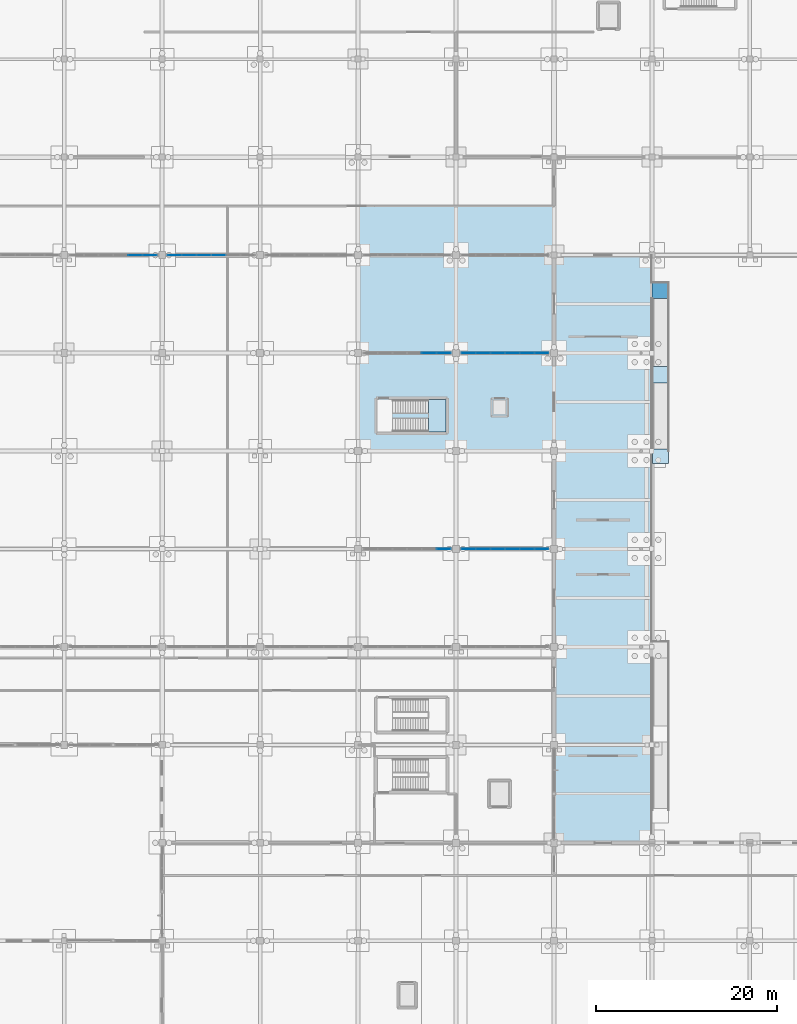
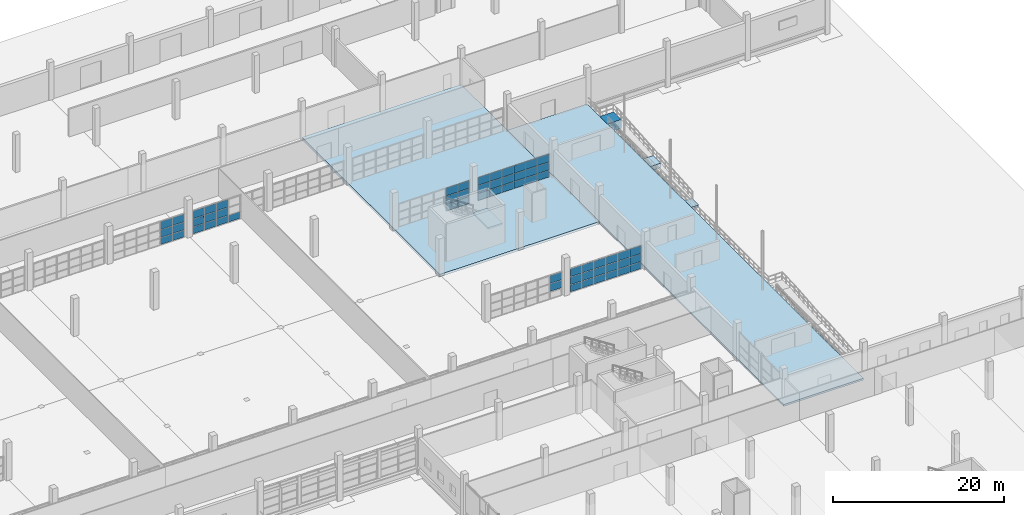
# One storey, part 95 of 138: 60 plates, 6 slabs, 8 elements without a shape of their own.
"""IFC4 building model written with IfcOpenShell, lengths in metres."""

from ifc_helpers import new_model, si_unit, direction, frame, origin, origin_2d, place, context, subcontext, project, spatial, polyline, rectangle, outline, extrude, material, layer, layer_set, type_object, element, aggregate, save


model = new_model("IFC4")

# Units and contexts
model_context = context("Model", 3, precision=1e-05, world=origin(), true_north=direction((0.0, 1.0)))
body_context = subcontext(model_context, "Body", "Model", "MODEL_VIEW")
ifc_project = project(units=[si_unit("LENGTHUNIT", "METRE"), si_unit("AREAUNIT", "SQUARE_METRE"), si_unit("VOLUMEUNIT", "CUBIC_METRE"), si_unit("PLANEANGLEUNIT", "RADIAN"), si_unit("MASSUNIT", "GRAM", prefix="KILO")], contexts=[model_context])

# Site, building, storey
site_placement = place(None, origin())
site = spatial("IfcSite", under=ifc_project, at=site_placement, CompositionType="ELEMENT")
building_placement = place(site_placement, origin())
building = spatial("IfcBuilding", under=site, at=building_placement, Name="Zwinboog Wholesale Market", CompositionType="ELEMENT")
storey_placement = place(building_placement, origin())
storey = spatial("IfcBuildingStorey", under=building, at=storey_placement, Name="L00", CompositionType="ELEMENT", Elevation=0.0)

# Slabs
ifc_material_1 = material(Name="Precast concrete C45/55", Category="concrete")
ifc_layer_1 = layer(ifc_material_1, 0.35595703125)
ifc_layer_set_1 = layer_set([ifc_layer_1], Name="Precast concrete C45/55")
slab_type_1 = type_object("IfcSlabType", Name="SLT-BS-320", PredefinedType="BASESLAB", material=ifc_layer_set_1)
slab_1_placement = place(storey_placement, frame((0.0, 0.0, -0.35595703125)))
element("IfcSlab", 1, at=slab_1_placement, inside=storey, type_object=slab_type_1, Name="SB-356 (SLB-L00-015)", PredefinedType="BASESLAB", context=body_context, shape_type="SweptSolid", body=[
    extrude(outline(polyline([(151.199951171875, 75.60009765625), (172.800048828125, 75.60009765625), (172.800048828125, 108.0), (151.199951171875, 108.0), (151.199951171875, 75.60009765625)])), origin(), (0.0, 0.0, 1.0), 0.35595703125),
])
ifc_material_2 = material(Name="Concrete C40/50", Category="concrete")
ifc_layer_2 = layer(ifc_material_2, 0.261962890625)
ifc_layer_set_2 = layer_set([ifc_layer_2], Name="Concrete C40/50")
slab_type_2 = type_object("IfcSlabType", Name="SLT-EX-262", PredefinedType="FLOOR", material=ifc_layer_set_2)
slab_2_placement = place(storey_placement, frame((0.0, 0.0, -0.261962890625)))
element("IfcSlab", 2, at=slab_2_placement, inside=storey, type_object=slab_type_2, Name="East Arrival Forecourt Canopy Deck", PredefinedType="FLOOR", context=body_context, shape_type="SweptSolid", body=[
    extrude(outline(polyline([(172.800048828125, 32.39990234375), (183.60009765625, 32.39990234375), (183.60009765625, 97.199951171875), (172.800048828125, 97.199951171875), (172.800048828125, 32.39990234375)])), origin(), (0.0, 0.0, 1.0), 0.261962890625),
])

# Curtain wall, plates
ifc_material_3 = material(Name="Aluminium thermally broken curtain wall", Category="aluminium")
curtain_wall_type = type_object("IfcCurtainWallType", Name="CWT-INT-STALL", PredefinedType="USERDEFINED", material=ifc_material_3)
curtain_wall_1_placement = place(storey_placement, origin())
curtain_wall_1 = element("IfcCurtainWall", 3, at=curtain_wall_1_placement, inside=storey, type_object=curtain_wall_type, Name="CW-07 (CW-STL-193)", ObjectType="STOREFRONT_GLAZING", PredefinedType="USERDEFINED")
ifc_material_4 = material(Name="Tempered laminated market stall glazing", Category="glass")
ifc_layer_3 = layer(ifc_material_4, 0.01611328125)
ifc_layer_set_3 = layer_set([ifc_layer_3], Name="Tempered laminated market stall glazing")
plate_type = type_object("IfcPlateType", Name="CWP-INT-16", PredefinedType="CURTAIN_PANEL", material=ifc_layer_set_3)
plate_1_placement = place(storey_placement, frame((160.626708984375, 64.800048828125, 1.080078125), z_axis=(0.0, 0.0, 1.0), x_axis=(1.0, 0.0, 0.0)))
plate_1 = element("IfcPlate", 4, at=plate_1_placement, type_object=plate_type, Name="CW-07 panel 6.2", PredefinedType="CURTAIN_PANEL", context=body_context, shape_type="SweptSolid", body=[
    extrude(rectangle(XDim=1.526611328125, YDim=0.01611328125, at=origin_2d()), origin(), (0.0, 0.0, 1.0), 1.090087890625),
])
plate_2_placement = place(storey_placement, frame((160.626708984375, 64.800048828125, 2.22998046875), z_axis=(0.0, 0.0, 1.0), x_axis=(1.0, 0.0, 0.0)))
plate_2 = element("IfcPlate", 5, at=plate_2_placement, type_object=plate_type, Name="CW-07 panel 6.3", PredefinedType="CURTAIN_PANEL", context=body_context, shape_type="SweptSolid", body=[
    extrude(rectangle(XDim=1.526611328125, YDim=0.01611328125, at=origin_2d()), origin(), (0.0, 0.0, 1.0), 1.110107421875),
])
aggregate(curtain_wall_1, [plate_1, plate_2])

curtain_wall_2_placement = place(storey_placement, origin())
curtain_wall_2 = element("IfcCurtainWall", 6, at=curtain_wall_2_placement, inside=storey, type_object=curtain_wall_type, Name="CW-07 (CW-STL-194)", ObjectType="STOREFRONT_GLAZING", PredefinedType="USERDEFINED")
plate_3_placement = place(storey_placement, frame((163.373291015625, 64.800048828125, 0.06005859375), z_axis=(0.0, 0.0, 1.0), x_axis=(1.0, 0.0, 0.0)))
plate_3 = element("IfcPlate", 7, at=plate_3_placement, type_object=plate_type, Name="CW-07 panel 1.1", PredefinedType="CURTAIN_PANEL", context=body_context, shape_type="SweptSolid", body=[
    extrude(rectangle(XDim=1.526611328125, YDim=0.01611328125, at=origin_2d()), origin(), (0.0, 0.0, 1.0), 0.9599609375),
])
plate_4_placement = place(storey_placement, frame((163.373291015625, 64.800048828125, 1.080078125), z_axis=(0.0, 0.0, 1.0), x_axis=(1.0, 0.0, 0.0)))
plate_4 = element("IfcPlate", 8, at=plate_4_placement, type_object=plate_type, Name="CW-07 panel 1.2", PredefinedType="CURTAIN_PANEL", context=body_context, shape_type="SweptSolid", body=[
    extrude(rectangle(XDim=1.526611328125, YDim=0.01611328125, at=origin_2d()), origin(), (0.0, 0.0, 1.0), 1.090087890625),
])
plate_5_placement = place(storey_placement, frame((163.373291015625, 64.800048828125, 2.22998046875), z_axis=(0.0, 0.0, 1.0), x_axis=(1.0, 0.0, 0.0)))
plate_5 = element("IfcPlate", 9, at=plate_5_placement, type_object=plate_type, Name="CW-07 panel 1.3", PredefinedType="CURTAIN_PANEL", context=body_context, shape_type="SweptSolid", body=[
    extrude(rectangle(XDim=1.526611328125, YDim=0.01611328125, at=origin_2d()), origin(), (0.0, 0.0, 1.0), 1.110107421875),
])
plate_6_placement = place(storey_placement, frame((164.97509765625, 64.800048828125, 0.06005859375), z_axis=(0.0, 0.0, 1.0), x_axis=(1.0, 0.0, 0.0)))
plate_6 = element("IfcPlate", 10, at=plate_6_placement, type_object=plate_type, Name="CW-07 panel 2.1", PredefinedType="CURTAIN_PANEL", context=body_context, shape_type="SweptSolid", body=[
    extrude(rectangle(XDim=1.556640625, YDim=0.01611328125, at=origin_2d()), origin(), (0.0, 0.0, 1.0), 0.9599609375),
])
plate_7_placement = place(storey_placement, frame((164.97509765625, 64.800048828125, 1.080078125), z_axis=(0.0, 0.0, 1.0), x_axis=(1.0, 0.0, 0.0)))
plate_7 = element("IfcPlate", 11, at=plate_7_placement, type_object=plate_type, Name="CW-07 panel 2.2", PredefinedType="CURTAIN_PANEL", context=body_context, shape_type="SweptSolid", body=[
    extrude(rectangle(XDim=1.556640625, YDim=0.01611328125, at=origin_2d()), origin(), (0.0, 0.0, 1.0), 1.090087890625),
])
plate_8_placement = place(storey_placement, frame((164.97509765625, 64.800048828125, 2.22998046875), z_axis=(0.0, 0.0, 1.0), x_axis=(1.0, 0.0, 0.0)))
plate_8 = element("IfcPlate", 12, at=plate_8_placement, type_object=plate_type, Name="CW-07 panel 2.3", PredefinedType="CURTAIN_PANEL", context=body_context, shape_type="SweptSolid", body=[
    extrude(rectangle(XDim=1.556640625, YDim=0.01611328125, at=origin_2d()), origin(), (0.0, 0.0, 1.0), 1.110107421875),
])
plate_9_placement = place(storey_placement, frame((166.591552734375, 64.800048828125, 0.06005859375), z_axis=(0.0, 0.0, 1.0), x_axis=(1.0, 0.0, 0.0)))
plate_9 = element("IfcPlate", 13, at=plate_9_placement, type_object=plate_type, Name="CW-07 panel 3.1", PredefinedType="CURTAIN_PANEL", context=body_context, shape_type="SweptSolid", body=[
    extrude(rectangle(XDim=1.556640625, YDim=0.01611328125, at=origin_2d()), origin(), (0.0, 0.0, 1.0), 0.9599609375),
])
plate_10_placement = place(storey_placement, frame((166.591552734375, 64.800048828125, 1.080078125), z_axis=(0.0, 0.0, 1.0), x_axis=(1.0, 0.0, 0.0)))
plate_10 = element("IfcPlate", 14, at=plate_10_placement, type_object=plate_type, Name="CW-07 panel 3.2", PredefinedType="CURTAIN_PANEL", context=body_context, shape_type="SweptSolid", body=[
    extrude(rectangle(XDim=1.556640625, YDim=0.01611328125, at=origin_2d()), origin(), (0.0, 0.0, 1.0), 1.090087890625),
])
plate_11_placement = place(storey_placement, frame((166.591552734375, 64.800048828125, 2.22998046875), z_axis=(0.0, 0.0, 1.0), x_axis=(1.0, 0.0, 0.0)))
plate_11 = element("IfcPlate", 15, at=plate_11_placement, type_object=plate_type, Name="CW-07 panel 3.3", PredefinedType="CURTAIN_PANEL", context=body_context, shape_type="SweptSolid", body=[
    extrude(rectangle(XDim=1.556640625, YDim=0.01611328125, at=origin_2d()), origin(), (0.0, 0.0, 1.0), 1.110107421875),
])
plate_12_placement = place(storey_placement, frame((168.208251953125, 64.800048828125, 0.06005859375), z_axis=(0.0, 0.0, 1.0), x_axis=(1.0, 0.0, 0.0)))
plate_12 = element("IfcPlate", 16, at=plate_12_placement, type_object=plate_type, Name="CW-07 panel 4.1", PredefinedType="CURTAIN_PANEL", context=body_context, shape_type="SweptSolid", body=[
    extrude(rectangle(XDim=1.556640625, YDim=0.01611328125, at=origin_2d()), origin(), (0.0, 0.0, 1.0), 0.9599609375),
])
plate_13_placement = place(storey_placement, frame((168.208251953125, 64.800048828125, 1.080078125), z_axis=(0.0, 0.0, 1.0), x_axis=(1.0, 0.0, 0.0)))
plate_13 = element("IfcPlate", 17, at=plate_13_placement, type_object=plate_type, Name="CW-07 panel 4.2", PredefinedType="CURTAIN_PANEL", context=body_context, shape_type="SweptSolid", body=[
    extrude(rectangle(XDim=1.556640625, YDim=0.01611328125, at=origin_2d()), origin(), (0.0, 0.0, 1.0), 1.090087890625),
])
plate_14_placement = place(storey_placement, frame((168.208251953125, 64.800048828125, 2.22998046875), z_axis=(0.0, 0.0, 1.0), x_axis=(1.0, 0.0, 0.0)))
plate_14 = element("IfcPlate", 18, at=plate_14_placement, type_object=plate_type, Name="CW-07 panel 4.3", PredefinedType="CURTAIN_PANEL", context=body_context, shape_type="SweptSolid", body=[
    extrude(rectangle(XDim=1.556640625, YDim=0.01611328125, at=origin_2d()), origin(), (0.0, 0.0, 1.0), 1.110107421875),
])
plate_15_placement = place(storey_placement, frame((169.824951171875, 64.800048828125, 0.06005859375), z_axis=(0.0, 0.0, 1.0), x_axis=(1.0, 0.0, 0.0)))
plate_15 = element("IfcPlate", 19, at=plate_15_placement, type_object=plate_type, Name="CW-07 panel 5.1", PredefinedType="CURTAIN_PANEL", context=body_context, shape_type="SweptSolid", body=[
    extrude(rectangle(XDim=1.556640625, YDim=0.01611328125, at=origin_2d()), origin(), (0.0, 0.0, 1.0), 0.9599609375),
])
plate_16_placement = place(storey_placement, frame((169.824951171875, 64.800048828125, 1.080078125), z_axis=(0.0, 0.0, 1.0), x_axis=(1.0, 0.0, 0.0)))
plate_16 = element("IfcPlate", 20, at=plate_16_placement, type_object=plate_type, Name="CW-07 panel 5.2", PredefinedType="CURTAIN_PANEL", context=body_context, shape_type="SweptSolid", body=[
    extrude(rectangle(XDim=1.556640625, YDim=0.01611328125, at=origin_2d()), origin(), (0.0, 0.0, 1.0), 1.090087890625),
])
plate_17_placement = place(storey_placement, frame((169.824951171875, 64.800048828125, 2.22998046875), z_axis=(0.0, 0.0, 1.0), x_axis=(1.0, 0.0, 0.0)))
plate_17 = element("IfcPlate", 21, at=plate_17_placement, type_object=plate_type, Name="CW-07 panel 5.3", PredefinedType="CURTAIN_PANEL", context=body_context, shape_type="SweptSolid", body=[
    extrude(rectangle(XDim=1.556640625, YDim=0.01611328125, at=origin_2d()), origin(), (0.0, 0.0, 1.0), 1.110107421875),
])
plate_18_placement = place(storey_placement, frame((171.4267578125, 64.800048828125, 0.06005859375), z_axis=(0.0, 0.0, 1.0), x_axis=(1.0, 0.0, 0.0)))
plate_18 = element("IfcPlate", 22, at=plate_18_placement, type_object=plate_type, Name="CW-07 panel 6.1", PredefinedType="CURTAIN_PANEL", context=body_context, shape_type="SweptSolid", body=[
    extrude(rectangle(XDim=1.526611328125, YDim=0.01611328125, at=origin_2d()), origin(), (0.0, 0.0, 1.0), 0.9599609375),
])
plate_19_placement = place(storey_placement, frame((171.4267578125, 64.800048828125, 1.080078125), z_axis=(0.0, 0.0, 1.0), x_axis=(1.0, 0.0, 0.0)))
plate_19 = element("IfcPlate", 23, at=plate_19_placement, type_object=plate_type, Name="CW-07 panel 6.2", PredefinedType="CURTAIN_PANEL", context=body_context, shape_type="SweptSolid", body=[
    extrude(rectangle(XDim=1.526611328125, YDim=0.01611328125, at=origin_2d()), origin(), (0.0, 0.0, 1.0), 1.090087890625),
])
plate_20_placement = place(storey_placement, frame((171.4267578125, 64.800048828125, 2.22998046875), z_axis=(0.0, 0.0, 1.0), x_axis=(1.0, 0.0, 0.0)))
plate_20 = element("IfcPlate", 24, at=plate_20_placement, type_object=plate_type, Name="CW-07 panel 6.3", PredefinedType="CURTAIN_PANEL", context=body_context, shape_type="SweptSolid", body=[
    extrude(rectangle(XDim=1.526611328125, YDim=0.01611328125, at=origin_2d()), origin(), (0.0, 0.0, 1.0), 1.110107421875),
])
aggregate(curtain_wall_2, [plate_3, plate_4, plate_5, plate_6, plate_7, plate_8, plate_9, plate_10, plate_11, plate_12, plate_13, plate_14, plate_15, plate_16, plate_17, plate_18, plate_19, plate_20])

curtain_wall_3_placement = place(storey_placement, origin())
curtain_wall_3 = element("IfcCurtainWall", 25, at=curtain_wall_3_placement, inside=storey, type_object=curtain_wall_type, Name="CW-07 (CW-STL-197)", ObjectType="STOREFRONT_GLAZING", PredefinedType="USERDEFINED")
plate_21_placement = place(storey_placement, frame((159.02490234375, 86.39990234375, 0.06005859375), z_axis=(0.0, 0.0, 1.0), x_axis=(1.0, 0.0, 0.0)))
plate_21 = element("IfcPlate", 26, at=plate_21_placement, type_object=plate_type, Name="CW-07 panel 5.1", PredefinedType="CURTAIN_PANEL", context=body_context, shape_type="SweptSolid", body=[
    extrude(rectangle(XDim=1.556640625, YDim=0.01611328125, at=origin_2d()), origin(), (0.0, 0.0, 1.0), 0.9599609375),
])
plate_22_placement = place(storey_placement, frame((159.02490234375, 86.39990234375, 1.080078125), z_axis=(0.0, 0.0, 1.0), x_axis=(1.0, 0.0, 0.0)))
plate_22 = element("IfcPlate", 27, at=plate_22_placement, type_object=plate_type, Name="CW-07 panel 5.2", PredefinedType="CURTAIN_PANEL", context=body_context, shape_type="SweptSolid", body=[
    extrude(rectangle(XDim=1.556640625, YDim=0.01611328125, at=origin_2d()), origin(), (0.0, 0.0, 1.0), 1.090087890625),
])
plate_23_placement = place(storey_placement, frame((159.02490234375, 86.39990234375, 2.22998046875), z_axis=(0.0, 0.0, 1.0), x_axis=(1.0, 0.0, 0.0)))
plate_23 = element("IfcPlate", 28, at=plate_23_placement, type_object=plate_type, Name="CW-07 panel 5.3", PredefinedType="CURTAIN_PANEL", context=body_context, shape_type="SweptSolid", body=[
    extrude(rectangle(XDim=1.556640625, YDim=0.01611328125, at=origin_2d()), origin(), (0.0, 0.0, 1.0), 1.110107421875),
])
plate_24_placement = place(storey_placement, frame((160.626708984375, 86.39990234375, 0.06005859375), z_axis=(0.0, 0.0, 1.0), x_axis=(1.0, 0.0, 0.0)))
plate_24 = element("IfcPlate", 29, at=plate_24_placement, type_object=plate_type, Name="CW-07 panel 6.1", PredefinedType="CURTAIN_PANEL", context=body_context, shape_type="SweptSolid", body=[
    extrude(rectangle(XDim=1.526611328125, YDim=0.01611328125, at=origin_2d()), origin(), (0.0, 0.0, 1.0), 0.9599609375),
])
plate_25_placement = place(storey_placement, frame((160.626708984375, 86.39990234375, 1.080078125), z_axis=(0.0, 0.0, 1.0), x_axis=(1.0, 0.0, 0.0)))
plate_25 = element("IfcPlate", 30, at=plate_25_placement, type_object=plate_type, Name="CW-07 panel 6.2", PredefinedType="CURTAIN_PANEL", context=body_context, shape_type="SweptSolid", body=[
    extrude(rectangle(XDim=1.526611328125, YDim=0.01611328125, at=origin_2d()), origin(), (0.0, 0.0, 1.0), 1.090087890625),
])
plate_26_placement = place(storey_placement, frame((160.626708984375, 86.39990234375, 2.22998046875), z_axis=(0.0, 0.0, 1.0), x_axis=(1.0, 0.0, 0.0)))
plate_26 = element("IfcPlate", 31, at=plate_26_placement, type_object=plate_type, Name="CW-07 panel 6.3", PredefinedType="CURTAIN_PANEL", context=body_context, shape_type="SweptSolid", body=[
    extrude(rectangle(XDim=1.526611328125, YDim=0.01611328125, at=origin_2d()), origin(), (0.0, 0.0, 1.0), 1.110107421875),
])
aggregate(curtain_wall_3, [plate_21, plate_22, plate_23, plate_24, plate_25, plate_26])

curtain_wall_4_placement = place(storey_placement, origin())
curtain_wall_4 = element("IfcCurtainWall", 32, at=curtain_wall_4_placement, inside=storey, type_object=curtain_wall_type, Name="CW-07 (CW-STL-198)", ObjectType="STOREFRONT_GLAZING", PredefinedType="USERDEFINED")
plate_27_placement = place(storey_placement, frame((163.373291015625, 86.39990234375, 0.06005859375), z_axis=(0.0, 0.0, 1.0), x_axis=(1.0, 0.0, 0.0)))
plate_27 = element("IfcPlate", 33, at=plate_27_placement, type_object=plate_type, Name="CW-07 panel 1.1", PredefinedType="CURTAIN_PANEL", context=body_context, shape_type="SweptSolid", body=[
    extrude(rectangle(XDim=1.526611328125, YDim=0.01611328125, at=origin_2d()), origin(), (0.0, 0.0, 1.0), 0.9599609375),
])
plate_28_placement = place(storey_placement, frame((163.373291015625, 86.39990234375, 1.080078125), z_axis=(0.0, 0.0, 1.0), x_axis=(1.0, 0.0, 0.0)))
plate_28 = element("IfcPlate", 34, at=plate_28_placement, type_object=plate_type, Name="CW-07 panel 1.2", PredefinedType="CURTAIN_PANEL", context=body_context, shape_type="SweptSolid", body=[
    extrude(rectangle(XDim=1.526611328125, YDim=0.01611328125, at=origin_2d()), origin(), (0.0, 0.0, 1.0), 1.090087890625),
])
plate_29_placement = place(storey_placement, frame((163.373291015625, 86.39990234375, 2.22998046875), z_axis=(0.0, 0.0, 1.0), x_axis=(1.0, 0.0, 0.0)))
plate_29 = element("IfcPlate", 35, at=plate_29_placement, type_object=plate_type, Name="CW-07 panel 1.3", PredefinedType="CURTAIN_PANEL", context=body_context, shape_type="SweptSolid", body=[
    extrude(rectangle(XDim=1.526611328125, YDim=0.01611328125, at=origin_2d()), origin(), (0.0, 0.0, 1.0), 1.110107421875),
])
plate_30_placement = place(storey_placement, frame((164.97509765625, 86.39990234375, 0.06005859375), z_axis=(0.0, 0.0, 1.0), x_axis=(1.0, 0.0, 0.0)))
plate_30 = element("IfcPlate", 36, at=plate_30_placement, type_object=plate_type, Name="CW-07 panel 2.1", PredefinedType="CURTAIN_PANEL", context=body_context, shape_type="SweptSolid", body=[
    extrude(rectangle(XDim=1.556640625, YDim=0.01611328125, at=origin_2d()), origin(), (0.0, 0.0, 1.0), 0.9599609375),
])
plate_31_placement = place(storey_placement, frame((164.97509765625, 86.39990234375, 1.080078125), z_axis=(0.0, 0.0, 1.0), x_axis=(1.0, 0.0, 0.0)))
plate_31 = element("IfcPlate", 37, at=plate_31_placement, type_object=plate_type, Name="CW-07 panel 2.2", PredefinedType="CURTAIN_PANEL", context=body_context, shape_type="SweptSolid", body=[
    extrude(rectangle(XDim=1.556640625, YDim=0.01611328125, at=origin_2d()), origin(), (0.0, 0.0, 1.0), 1.090087890625),
])
plate_32_placement = place(storey_placement, frame((164.97509765625, 86.39990234375, 2.22998046875), z_axis=(0.0, 0.0, 1.0), x_axis=(1.0, 0.0, 0.0)))
plate_32 = element("IfcPlate", 38, at=plate_32_placement, type_object=plate_type, Name="CW-07 panel 2.3", PredefinedType="CURTAIN_PANEL", context=body_context, shape_type="SweptSolid", body=[
    extrude(rectangle(XDim=1.556640625, YDim=0.01611328125, at=origin_2d()), origin(), (0.0, 0.0, 1.0), 1.110107421875),
])
plate_33_placement = place(storey_placement, frame((166.591552734375, 86.39990234375, 0.06005859375), z_axis=(0.0, 0.0, 1.0), x_axis=(1.0, 0.0, 0.0)))
plate_33 = element("IfcPlate", 39, at=plate_33_placement, type_object=plate_type, Name="CW-07 panel 3.1", PredefinedType="CURTAIN_PANEL", context=body_context, shape_type="SweptSolid", body=[
    extrude(rectangle(XDim=1.556640625, YDim=0.01611328125, at=origin_2d()), origin(), (0.0, 0.0, 1.0), 0.9599609375),
])
plate_34_placement = place(storey_placement, frame((166.591552734375, 86.39990234375, 1.080078125), z_axis=(0.0, 0.0, 1.0), x_axis=(1.0, 0.0, 0.0)))
plate_34 = element("IfcPlate", 40, at=plate_34_placement, type_object=plate_type, Name="CW-07 panel 3.2", PredefinedType="CURTAIN_PANEL", context=body_context, shape_type="SweptSolid", body=[
    extrude(rectangle(XDim=1.556640625, YDim=0.01611328125, at=origin_2d()), origin(), (0.0, 0.0, 1.0), 1.090087890625),
])
plate_35_placement = place(storey_placement, frame((166.591552734375, 86.39990234375, 2.22998046875), z_axis=(0.0, 0.0, 1.0), x_axis=(1.0, 0.0, 0.0)))
plate_35 = element("IfcPlate", 41, at=plate_35_placement, type_object=plate_type, Name="CW-07 panel 3.3", PredefinedType="CURTAIN_PANEL", context=body_context, shape_type="SweptSolid", body=[
    extrude(rectangle(XDim=1.556640625, YDim=0.01611328125, at=origin_2d()), origin(), (0.0, 0.0, 1.0), 1.110107421875),
])
plate_36_placement = place(storey_placement, frame((168.208251953125, 86.39990234375, 0.06005859375), z_axis=(0.0, 0.0, 1.0), x_axis=(1.0, 0.0, 0.0)))
plate_36 = element("IfcPlate", 42, at=plate_36_placement, type_object=plate_type, Name="CW-07 panel 4.1", PredefinedType="CURTAIN_PANEL", context=body_context, shape_type="SweptSolid", body=[
    extrude(rectangle(XDim=1.556640625, YDim=0.01611328125, at=origin_2d()), origin(), (0.0, 0.0, 1.0), 0.9599609375),
])
plate_37_placement = place(storey_placement, frame((168.208251953125, 86.39990234375, 1.080078125), z_axis=(0.0, 0.0, 1.0), x_axis=(1.0, 0.0, 0.0)))
plate_37 = element("IfcPlate", 43, at=plate_37_placement, type_object=plate_type, Name="CW-07 panel 4.2", PredefinedType="CURTAIN_PANEL", context=body_context, shape_type="SweptSolid", body=[
    extrude(rectangle(XDim=1.556640625, YDim=0.01611328125, at=origin_2d()), origin(), (0.0, 0.0, 1.0), 1.090087890625),
])
plate_38_placement = place(storey_placement, frame((168.208251953125, 86.39990234375, 2.22998046875), z_axis=(0.0, 0.0, 1.0), x_axis=(1.0, 0.0, 0.0)))
plate_38 = element("IfcPlate", 44, at=plate_38_placement, type_object=plate_type, Name="CW-07 panel 4.3", PredefinedType="CURTAIN_PANEL", context=body_context, shape_type="SweptSolid", body=[
    extrude(rectangle(XDim=1.556640625, YDim=0.01611328125, at=origin_2d()), origin(), (0.0, 0.0, 1.0), 1.110107421875),
])
plate_39_placement = place(storey_placement, frame((169.824951171875, 86.39990234375, 0.06005859375), z_axis=(0.0, 0.0, 1.0), x_axis=(1.0, 0.0, 0.0)))
plate_39 = element("IfcPlate", 45, at=plate_39_placement, type_object=plate_type, Name="CW-07 panel 5.1", PredefinedType="CURTAIN_PANEL", context=body_context, shape_type="SweptSolid", body=[
    extrude(rectangle(XDim=1.556640625, YDim=0.01611328125, at=origin_2d()), origin(), (0.0, 0.0, 1.0), 0.9599609375),
])
plate_40_placement = place(storey_placement, frame((169.824951171875, 86.39990234375, 1.080078125), z_axis=(0.0, 0.0, 1.0), x_axis=(1.0, 0.0, 0.0)))
plate_40 = element("IfcPlate", 46, at=plate_40_placement, type_object=plate_type, Name="CW-07 panel 5.2", PredefinedType="CURTAIN_PANEL", context=body_context, shape_type="SweptSolid", body=[
    extrude(rectangle(XDim=1.556640625, YDim=0.01611328125, at=origin_2d()), origin(), (0.0, 0.0, 1.0), 1.090087890625),
])
plate_41_placement = place(storey_placement, frame((169.824951171875, 86.39990234375, 2.22998046875), z_axis=(0.0, 0.0, 1.0), x_axis=(1.0, 0.0, 0.0)))
plate_41 = element("IfcPlate", 47, at=plate_41_placement, type_object=plate_type, Name="CW-07 panel 5.3", PredefinedType="CURTAIN_PANEL", context=body_context, shape_type="SweptSolid", body=[
    extrude(rectangle(XDim=1.556640625, YDim=0.01611328125, at=origin_2d()), origin(), (0.0, 0.0, 1.0), 1.110107421875),
])
plate_42_placement = place(storey_placement, frame((171.4267578125, 86.39990234375, 0.06005859375), z_axis=(0.0, 0.0, 1.0), x_axis=(1.0, 0.0, 0.0)))
plate_42 = element("IfcPlate", 48, at=plate_42_placement, type_object=plate_type, Name="CW-07 panel 6.1", PredefinedType="CURTAIN_PANEL", context=body_context, shape_type="SweptSolid", body=[
    extrude(rectangle(XDim=1.526611328125, YDim=0.01611328125, at=origin_2d()), origin(), (0.0, 0.0, 1.0), 0.9599609375),
])
plate_43_placement = place(storey_placement, frame((171.4267578125, 86.39990234375, 1.080078125), z_axis=(0.0, 0.0, 1.0), x_axis=(1.0, 0.0, 0.0)))
plate_43 = element("IfcPlate", 49, at=plate_43_placement, type_object=plate_type, Name="CW-07 panel 6.2", PredefinedType="CURTAIN_PANEL", context=body_context, shape_type="SweptSolid", body=[
    extrude(rectangle(XDim=1.526611328125, YDim=0.01611328125, at=origin_2d()), origin(), (0.0, 0.0, 1.0), 1.090087890625),
])
plate_44_placement = place(storey_placement, frame((171.4267578125, 86.39990234375, 2.22998046875), z_axis=(0.0, 0.0, 1.0), x_axis=(1.0, 0.0, 0.0)))
plate_44 = element("IfcPlate", 50, at=plate_44_placement, type_object=plate_type, Name="CW-07 panel 6.3", PredefinedType="CURTAIN_PANEL", context=body_context, shape_type="SweptSolid", body=[
    extrude(rectangle(XDim=1.526611328125, YDim=0.01611328125, at=origin_2d()), origin(), (0.0, 0.0, 1.0), 1.110107421875),
])
aggregate(curtain_wall_4, [plate_27, plate_28, plate_29, plate_30, plate_31, plate_32, plate_33, plate_34, plate_35, plate_36, plate_37, plate_38, plate_39, plate_40, plate_41, plate_42, plate_43, plate_44])

curtain_wall_5_placement = place(storey_placement, origin())
curtain_wall_5 = element("IfcCurtainWall", 51, at=curtain_wall_5_placement, inside=storey, type_object=curtain_wall_type, Name="CW-07 (CW-STL-204)", ObjectType="STOREFRONT_GLAZING", PredefinedType="USERDEFINED")
plate_45_placement = place(storey_placement, frame((126.625, 97.199951171875, 0.06005859375), z_axis=(0.0, 0.0, 1.0), x_axis=(1.0, 0.0, 0.0)))
plate_45 = element("IfcPlate", 52, at=plate_45_placement, type_object=plate_type, Name="CW-07 panel 5.1", PredefinedType="CURTAIN_PANEL", context=body_context, shape_type="SweptSolid", body=[
    extrude(rectangle(XDim=1.556640625, YDim=0.01611328125, at=origin_2d()), origin(), (0.0, 0.0, 1.0), 0.9599609375),
])
plate_46_placement = place(storey_placement, frame((126.625, 97.199951171875, 1.080078125), z_axis=(0.0, 0.0, 1.0), x_axis=(1.0, 0.0, 0.0)))
plate_46 = element("IfcPlate", 53, at=plate_46_placement, type_object=plate_type, Name="CW-07 panel 5.2", PredefinedType="CURTAIN_PANEL", context=body_context, shape_type="SweptSolid", body=[
    extrude(rectangle(XDim=1.556640625, YDim=0.01611328125, at=origin_2d()), origin(), (0.0, 0.0, 1.0), 1.090087890625),
])
plate_47_placement = place(storey_placement, frame((126.625, 97.199951171875, 2.22998046875), z_axis=(0.0, 0.0, 1.0), x_axis=(1.0, 0.0, 0.0)))
plate_47 = element("IfcPlate", 54, at=plate_47_placement, type_object=plate_type, Name="CW-07 panel 5.3", PredefinedType="CURTAIN_PANEL", context=body_context, shape_type="SweptSolid", body=[
    extrude(rectangle(XDim=1.556640625, YDim=0.01611328125, at=origin_2d()), origin(), (0.0, 0.0, 1.0), 1.110107421875),
])
plate_48_placement = place(storey_placement, frame((128.2265625, 97.199951171875, 0.06005859375), z_axis=(0.0, 0.0, 1.0), x_axis=(1.0, 0.0, 0.0)))
plate_48 = element("IfcPlate", 55, at=plate_48_placement, type_object=plate_type, Name="CW-07 panel 6.1", PredefinedType="CURTAIN_PANEL", context=body_context, shape_type="SweptSolid", body=[
    extrude(rectangle(XDim=1.526611328125, YDim=0.01611328125, at=origin_2d()), origin(), (0.0, 0.0, 1.0), 0.9599609375),
])
plate_49_placement = place(storey_placement, frame((128.2265625, 97.199951171875, 1.080078125), z_axis=(0.0, 0.0, 1.0), x_axis=(1.0, 0.0, 0.0)))
plate_49 = element("IfcPlate", 56, at=plate_49_placement, type_object=plate_type, Name="CW-07 panel 6.2", PredefinedType="CURTAIN_PANEL", context=body_context, shape_type="SweptSolid", body=[
    extrude(rectangle(XDim=1.526611328125, YDim=0.01611328125, at=origin_2d()), origin(), (0.0, 0.0, 1.0), 1.090087890625),
])
plate_50_placement = place(storey_placement, frame((128.2265625, 97.199951171875, 2.22998046875), z_axis=(0.0, 0.0, 1.0), x_axis=(1.0, 0.0, 0.0)))
plate_50 = element("IfcPlate", 57, at=plate_50_placement, type_object=plate_type, Name="CW-07 panel 6.3", PredefinedType="CURTAIN_PANEL", context=body_context, shape_type="SweptSolid", body=[
    extrude(rectangle(XDim=1.526611328125, YDim=0.01611328125, at=origin_2d()), origin(), (0.0, 0.0, 1.0), 1.110107421875),
])
aggregate(curtain_wall_5, [plate_45, plate_46, plate_47, plate_48, plate_49, plate_50])

curtain_wall_6_placement = place(storey_placement, origin())
curtain_wall_6 = element("IfcCurtainWall", 58, at=curtain_wall_6_placement, inside=storey, type_object=curtain_wall_type, Name="CW-07 (CW-STL-205)", ObjectType="STOREFRONT_GLAZING", PredefinedType="USERDEFINED")
plate_51_placement = place(storey_placement, frame((130.973388671875, 97.199951171875, 0.06005859375), z_axis=(0.0, 0.0, 1.0), x_axis=(1.0, 0.0, 0.0)))
plate_51 = element("IfcPlate", 59, at=plate_51_placement, type_object=plate_type, Name="CW-07 panel 1.1", PredefinedType="CURTAIN_PANEL", context=body_context, shape_type="SweptSolid", body=[
    extrude(rectangle(XDim=1.526611328125, YDim=0.01611328125, at=origin_2d()), origin(), (0.0, 0.0, 1.0), 0.9599609375),
])
plate_52_placement = place(storey_placement, frame((130.973388671875, 97.199951171875, 1.080078125), z_axis=(0.0, 0.0, 1.0), x_axis=(1.0, 0.0, 0.0)))
plate_52 = element("IfcPlate", 60, at=plate_52_placement, type_object=plate_type, Name="CW-07 panel 1.2", PredefinedType="CURTAIN_PANEL", context=body_context, shape_type="SweptSolid", body=[
    extrude(rectangle(XDim=1.526611328125, YDim=0.01611328125, at=origin_2d()), origin(), (0.0, 0.0, 1.0), 1.090087890625),
])
plate_53_placement = place(storey_placement, frame((130.973388671875, 97.199951171875, 2.22998046875), z_axis=(0.0, 0.0, 1.0), x_axis=(1.0, 0.0, 0.0)))
plate_53 = element("IfcPlate", 61, at=plate_53_placement, type_object=plate_type, Name="CW-07 panel 1.3", PredefinedType="CURTAIN_PANEL", context=body_context, shape_type="SweptSolid", body=[
    extrude(rectangle(XDim=1.526611328125, YDim=0.01611328125, at=origin_2d()), origin(), (0.0, 0.0, 1.0), 1.110107421875),
])
plate_54_placement = place(storey_placement, frame((132.574951171875, 97.199951171875, 0.06005859375), z_axis=(0.0, 0.0, 1.0), x_axis=(1.0, 0.0, 0.0)))
plate_54 = element("IfcPlate", 62, at=plate_54_placement, type_object=plate_type, Name="CW-07 panel 2.1", PredefinedType="CURTAIN_PANEL", context=body_context, shape_type="SweptSolid", body=[
    extrude(rectangle(XDim=1.556640625, YDim=0.01611328125, at=origin_2d()), origin(), (0.0, 0.0, 1.0), 0.9599609375),
])
plate_55_placement = place(storey_placement, frame((132.574951171875, 97.199951171875, 1.080078125), z_axis=(0.0, 0.0, 1.0), x_axis=(1.0, 0.0, 0.0)))
plate_55 = element("IfcPlate", 63, at=plate_55_placement, type_object=plate_type, Name="CW-07 panel 2.2", PredefinedType="CURTAIN_PANEL", context=body_context, shape_type="SweptSolid", body=[
    extrude(rectangle(XDim=1.556640625, YDim=0.01611328125, at=origin_2d()), origin(), (0.0, 0.0, 1.0), 1.090087890625),
])
plate_56_placement = place(storey_placement, frame((132.574951171875, 97.199951171875, 2.22998046875), z_axis=(0.0, 0.0, 1.0), x_axis=(1.0, 0.0, 0.0)))
plate_56 = element("IfcPlate", 64, at=plate_56_placement, type_object=plate_type, Name="CW-07 panel 2.3", PredefinedType="CURTAIN_PANEL", context=body_context, shape_type="SweptSolid", body=[
    extrude(rectangle(XDim=1.556640625, YDim=0.01611328125, at=origin_2d()), origin(), (0.0, 0.0, 1.0), 1.110107421875),
])
plate_57_placement = place(storey_placement, frame((134.191650390625, 97.199951171875, 0.06005859375), z_axis=(0.0, 0.0, 1.0), x_axis=(1.0, 0.0, 0.0)))
plate_57 = element("IfcPlate", 65, at=plate_57_placement, type_object=plate_type, Name="CW-07 panel 3.1", PredefinedType="CURTAIN_PANEL", context=body_context, shape_type="SweptSolid", body=[
    extrude(rectangle(XDim=1.556640625, YDim=0.01611328125, at=origin_2d()), origin(), (0.0, 0.0, 1.0), 0.9599609375),
])
plate_58_placement = place(storey_placement, frame((134.191650390625, 97.199951171875, 1.080078125), z_axis=(0.0, 0.0, 1.0), x_axis=(1.0, 0.0, 0.0)))
plate_58 = element("IfcPlate", 66, at=plate_58_placement, type_object=plate_type, Name="CW-07 panel 3.2", PredefinedType="CURTAIN_PANEL", context=body_context, shape_type="SweptSolid", body=[
    extrude(rectangle(XDim=1.556640625, YDim=0.01611328125, at=origin_2d()), origin(), (0.0, 0.0, 1.0), 1.090087890625),
])
plate_59_placement = place(storey_placement, frame((134.191650390625, 97.199951171875, 2.22998046875), z_axis=(0.0, 0.0, 1.0), x_axis=(1.0, 0.0, 0.0)))
plate_59 = element("IfcPlate", 67, at=plate_59_placement, type_object=plate_type, Name="CW-07 panel 3.3", PredefinedType="CURTAIN_PANEL", context=body_context, shape_type="SweptSolid", body=[
    extrude(rectangle(XDim=1.556640625, YDim=0.01611328125, at=origin_2d()), origin(), (0.0, 0.0, 1.0), 1.110107421875),
])
plate_60_placement = place(storey_placement, frame((135.808349609375, 97.199951171875, 0.06005859375), z_axis=(0.0, 0.0, 1.0), x_axis=(1.0, 0.0, 0.0)))
plate_60 = element("IfcPlate", 68, at=plate_60_placement, type_object=plate_type, Name="CW-07 panel 4.1", PredefinedType="CURTAIN_PANEL", context=body_context, shape_type="SweptSolid", body=[
    extrude(rectangle(XDim=1.556640625, YDim=0.01611328125, at=origin_2d()), origin(), (0.0, 0.0, 1.0), 0.9599609375),
])
aggregate(curtain_wall_6, [plate_51, plate_52, plate_53, plate_54, plate_55, plate_56, plate_57, plate_58, plate_59, plate_60])

# Stair, slab
stair_type = type_object("IfcStairType", Name="STT-DOG-160", PredefinedType="HALF_TURN_STAIR", material=ifc_material_2)
stair_placement = place(storey_placement, origin())
stair = element("IfcStair", 69, at=stair_placement, inside=storey, type_object=stair_type, Name="Enclosed Escape Stair ST-07", PredefinedType="HALF_TURN_STAIR")
ifc_layer_4 = layer(ifc_material_2, 0.219970703125)
ifc_layer_set_4 = layer_set([ifc_layer_4], Name="Concrete C40/50")
slab_type_3 = type_object("IfcSlabType", Name="SLT-LND-220", PredefinedType="LANDING", material=ifc_layer_set_4)
slab_3_placement = place(storey_placement, frame((0.0, 0.0, 2.47998046875)))
slab_3 = element("IfcSlab", 70, at=slab_3_placement, type_object=slab_type_3, Name="ST-07 landing 1", PredefinedType="LANDING", context=body_context, shape_type="SweptSolid", body=[
    extrude(outline(polyline([(158.93994140625, 77.705078125), (160.89501953125, 77.705078125), (160.89501953125, 81.294921875), (158.93994140625, 81.294921875), (158.93994140625, 77.705078125)])), origin(), (0.0, 0.0, 1.0), 0.219970703125),
])
aggregate(stair, [slab_3])

# Ramp, slabs
ramp_type = type_object("IfcRampType", Name="RMPT-PLINTH", PredefinedType="HALF_TURN_RAMP", material=ifc_material_2)
ramp_placement = place(storey_placement, origin())
ramp = element("IfcRamp", 71, at=ramp_placement, inside=storey, type_object=ramp_type, Name="East Forecourt North Accessible Ramp", PredefinedType="HALF_TURN_RAMP")
slab_4_placement = place(storey_placement, frame((0.0, 0.0, -1.419921875)))
slab_4 = element("IfcSlab", 72, at=slab_4_placement, type_object=slab_type_3, Name="RMP-05-L0 (RMP-05-LTOE)", PredefinedType="LANDING", context=body_context, shape_type="SweptSolid", body=[
    extrude(outline(polyline([(183.64990234375, 74.199951171875), (185.449951171875, 74.199951171875), (185.449951171875, 75.800048828125), (183.64990234375, 75.800048828125), (183.64990234375, 74.199951171875)])), origin(), (0.0, 0.0, 1.0), 0.219970703125),
])
slab_5_placement = place(storey_placement, frame((0.0, 0.0, -1.25)))
slab_5 = element("IfcSlab", 73, at=slab_5_placement, type_object=slab_type_3, Name="RMP-05-L1 (RMP-05-LMID)", PredefinedType="LANDING", context=body_context, shape_type="SweptSolid", body=[
    extrude(outline(polyline([(183.64990234375, 83.10009765625), (185.449951171875, 83.10009765625), (185.449951171875, 84.89990234375), (183.64990234375, 84.89990234375), (183.64990234375, 83.10009765625)])), origin(), (0.0, 0.0, 1.0), 0.64990234375),
])
slab_6_placement = place(storey_placement, frame((0.0, 0.0, -1.25)))
slab_6 = element("IfcSlab", 74, at=slab_6_placement, type_object=slab_type_3, Name="RMP-05-L2 (RMP-05-LTOP)", PredefinedType="LANDING", context=body_context, shape_type="SweptSolid", body=[
    extrude(outline(polyline([(183.580078125, 92.39990234375), (185.449951171875, 92.39990234375), (185.449951171875, 94.199951171875), (183.580078125, 94.199951171875), (183.580078125, 92.39990234375)])), origin(), (0.0, 0.0, 1.0), 1.25),
])
aggregate(ramp, [slab_4, slab_5, slab_6])

save(model, "model.ifc")
